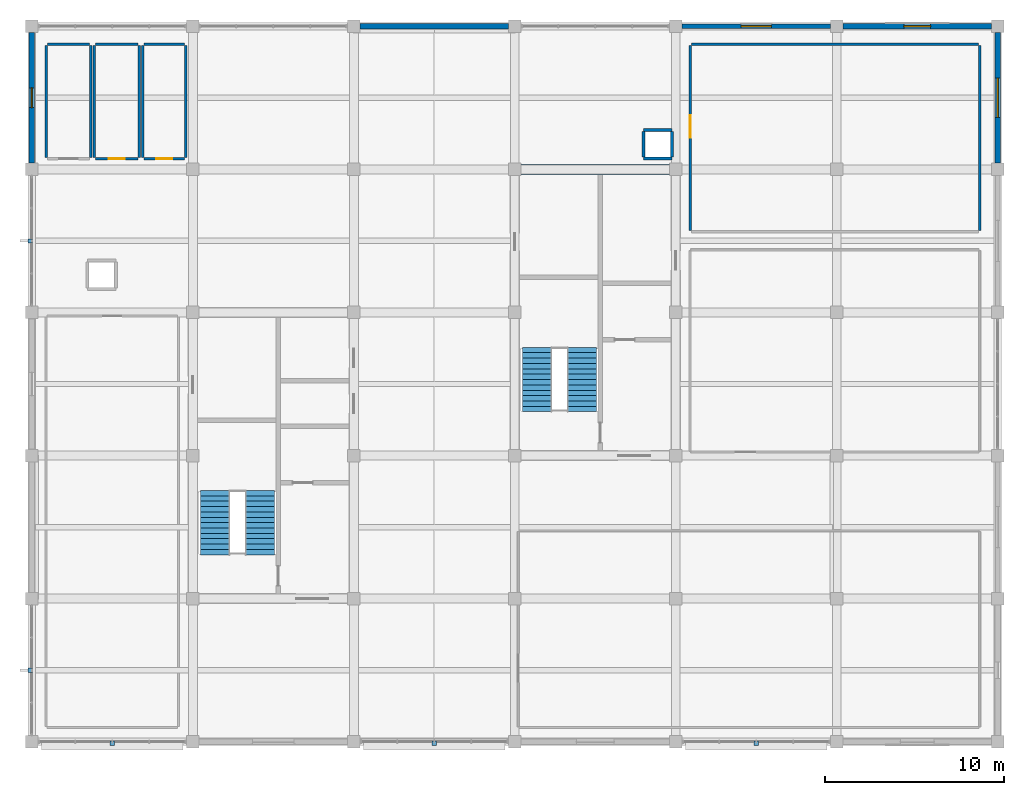
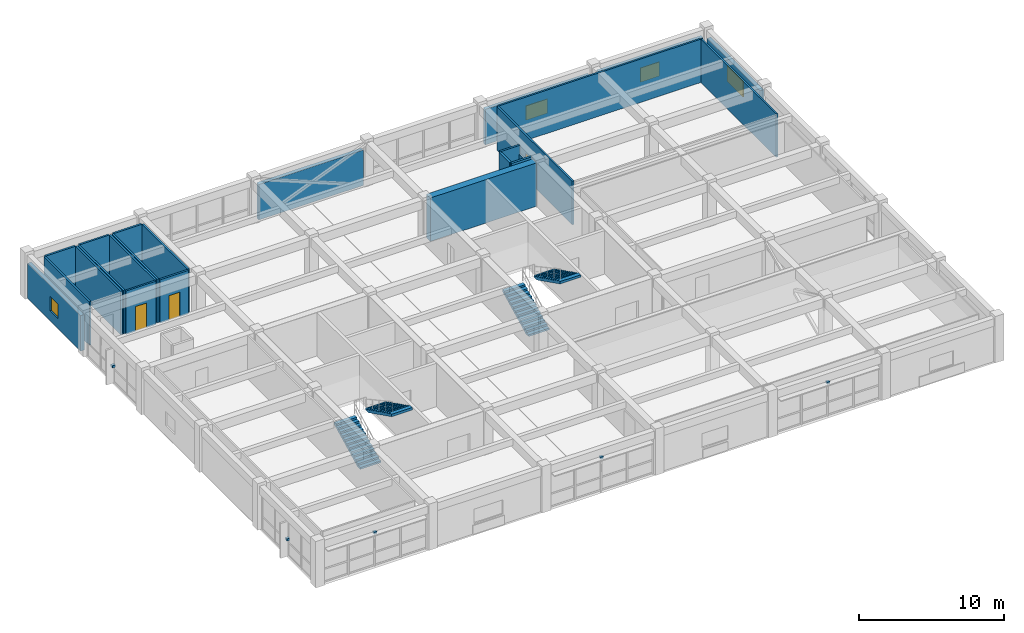
# One storey, part 12 of 13: 24 walls, 5 discrete accessories, 4 stair flights, 4 windows, 3 doors, 7 openings, 2 elements without a shape of their own.
"""IFC4 building model written with IfcOpenShell, lengths in metres."""

from ifc_helpers import new_model, si_unit, direction, frame, frame_2d, origin, origin_2d, place, context, subcontext, project, spatial, polyline, rectangle, outline, extrude, material, layer, layer_set, type_object, element, fill, aggregate, save


model = new_model("IFC4")

# Units and contexts
model_context = context("Model", 3, precision=1e-05, world=origin(), true_north=direction((0.0, 1.0)))
body_context = subcontext(model_context, "Body", "Model", "MODEL_VIEW")
ifc_project = project(units=[si_unit("LENGTHUNIT", "METRE"), si_unit("AREAUNIT", "SQUARE_METRE"), si_unit("VOLUMEUNIT", "CUBIC_METRE"), si_unit("PLANEANGLEUNIT", "RADIAN"), si_unit("MASSUNIT", "GRAM", prefix="KILO")], contexts=[model_context])

# Site, building, storey
site_placement = place(None, origin())
site = spatial("IfcSite", under=ifc_project, at=site_placement, CompositionType="ELEMENT")
building_placement = place(site_placement, origin())
building = spatial("IfcBuilding", under=site, at=building_placement, Name="Zaverband Oceanarium and Marine Research Institute", CompositionType="ELEMENT")
storey_placement = place(building_placement, frame((0.0, 0.0, 60.89990234375)))
storey = spatial("IfcBuildingStorey", under=building, at=storey_placement, Name="L15", CompositionType="ELEMENT", Elevation=60.89990234375)

# Wall
ifc_material_1 = material(Name="Concrete C50/60", Category="concrete")
ifc_layer_1 = layer(ifc_material_1, 0.550048828125, Name="Concrete C50/60")
ifc_layer_set_1 = layer_set([ifc_layer_1], Name="Concrete C50/60")
wall_type_1 = type_object("IfcWallType", Name="CW-01", PredefinedType="SHEAR", material=ifc_layer_set_1)
wall_1_placement = place(storey_placement, frame((36.27490234375, 104.0, 0.0), z_axis=(0.0, 0.0, 1.0), x_axis=(1.0, 0.0, 0.0)))
element("IfcWall", 1, at=wall_1_placement, inside=storey, type_object=wall_type_1, Name="Structural shear wall CW-01", PredefinedType="SHEAR", context=body_context, shape_type="SweptSolid", body=[
    extrude(rectangle(XDim=8.4501953125, YDim=0.550048828125, at=frame_2d((4.22509765625, 0.0))), origin(), (0.0, 0.0, 1.0), 3.650146484375),
])

# Wall, opening, window
ifc_material_2 = material(Name="Concrete C40/50 precast", Category="concrete")
ifc_layer_2 = layer(ifc_material_2, 0.264892578125, Name="Concrete C40/50 precast")
ifc_layer_set_2 = layer_set([ifc_layer_2], Name="Concrete C40/50 precast")
wall_type_2 = type_object("IfcWallType", Name="EW-265", PredefinedType="STANDARD", material=ifc_layer_set_2)
wall_2_placement = place(storey_placement, frame((45.35498046875, 112.0, 0.0), z_axis=(0.0, 0.0, 1.0), x_axis=(1.0, 0.0, 0.0)))
wall_2 = element("IfcWall", 2, at=wall_2_placement, inside=storey, type_object=wall_type_2, Name="Exterior infill wall EW-265", PredefinedType="STANDARD", context=body_context, shape_type="SweptSolid", body=[
    extrude(rectangle(XDim=8.2900390625, YDim=0.264892578125, at=frame_2d((4.14501953125, 0.0))), origin(), (0.0, 0.0, 1.0), 2.97998046875),
])
opening_1_placement = place(wall_2_placement, frame((3.294921875, 0.0, 0.85009765625)))
opening_1 = element("IfcOpeningElement", 3, at=opening_1_placement, cuts=wall_2, Name="Opening WN-1700x1200", PredefinedType="OPENING", context=body_context, shape_type="SweptSolid", body=[
    extrude(rectangle(XDim=1.699951171875, YDim=1.199951171875, at=frame_2d((0.85009765625, 0.60009765625))), frame((0.0, 0.14453125, 0.0), z_axis=(0.0, -1.0, 0.0), x_axis=(1.0, 0.0, 0.0)), (0.0, 0.0, 1.0), 0.288818359375),
])
ifc_material_3 = material(Name="Thermally broken anodized aluminium and solar-control glass", Category="aluminium")
window_type_1 = type_object("IfcWindowType", Name="WN-1700x1200", PartitioningType="SINGLE_PANEL", PredefinedType="WINDOW", material=ifc_material_3)
window_1_placement = place(opening_1_placement, origin())
window_1 = element("IfcWindow", 4, at=window_1_placement, inside=storey, type_object=window_type_1, Name="Fixed / casement exterior window WN-1700x1200", OverallHeight=1.199951171875, OverallWidth=1.699951171875, PartitioningType="SINGLE_PANEL", PredefinedType="WINDOW", context=body_context, shape_type="SweptSolid", body=[
    extrude(rectangle(XDim=1.699951171875, YDim=1.199951171875, at=frame_2d((0.85009765625, 0.60009765625))), frame((0.0, 0.030029296875, 0.0), z_axis=(0.0, -1.0, 0.0), x_axis=(1.0, 0.0, 0.0)), (0.0, 0.0, 1.0), 0.06005859375),
])
fill(opening_1, window_1)

# Wall
ifc_layer_3 = layer(ifc_material_2, 0.2900390625, Name="Concrete C40/50 precast")
ifc_layer_set_3 = layer_set([ifc_layer_3], Name="Concrete C40/50 precast")
wall_type_3 = type_object("IfcWallType", Name="EW-290", PredefinedType="STANDARD", material=ifc_layer_set_3)
wall_3_placement = place(storey_placement, frame((27.35498046875, 112.0, 0.0), z_axis=(0.0, 0.0, 1.0), x_axis=(1.0, 0.0, 0.0)))
element("IfcWall", 5, at=wall_3_placement, inside=storey, type_object=wall_type_3, Name="Exterior infill wall EW-290", PredefinedType="STANDARD", context=body_context, shape_type="SweptSolid", body=[
    extrude(rectangle(XDim=8.2900390625, YDim=0.2900390625, at=frame_2d((4.14501953125, 0.0))), origin(), (0.0, 0.0, 1.0), 2.97998046875),
])

# Wall, opening, window
wall_4_placement = place(storey_placement, frame((54.35498046875, 112.0, 0.0), z_axis=(0.0, 0.0, 1.0), x_axis=(1.0, 0.0, 0.0)))
wall_4 = element("IfcWall", 6, at=wall_4_placement, inside=storey, type_object=wall_type_3, Name="Exterior infill wall EW-290", PredefinedType="STANDARD", context=body_context, shape_type="SweptSolid", body=[
    extrude(rectangle(XDim=8.2900390625, YDim=0.2900390625, at=frame_2d((4.14501953125, 0.0))), origin(), (0.0, 0.0, 1.0), 2.97998046875),
])
opening_2_placement = place(wall_4_placement, frame((3.39501953125, 0.0, 0.85009765625)))
opening_2 = element("IfcOpeningElement", 7, at=opening_2_placement, cuts=wall_4, Name="Opening WN-1500x1200", PredefinedType="OPENING", context=body_context, shape_type="SweptSolid", body=[
    extrude(rectangle(XDim=1.5, YDim=1.199951171875, at=frame_2d((0.75, 0.60009765625))), frame((0.0, 0.156982421875, 0.0), z_axis=(0.0, -1.0, 0.0), x_axis=(1.0, 0.0, 0.0)), (0.0, 0.0, 1.0), 0.31396484375),
])
window_type_2 = type_object("IfcWindowType", Name="WN-1500x1200", PartitioningType="SINGLE_PANEL", PredefinedType="WINDOW", material=ifc_material_3)
window_2_placement = place(opening_2_placement, origin())
window_2 = element("IfcWindow", 8, at=window_2_placement, inside=storey, type_object=window_type_2, Name="Fixed / casement exterior window WN-1500x1200", OverallHeight=1.199951171875, OverallWidth=1.5, PartitioningType="SINGLE_PANEL", PredefinedType="WINDOW", context=body_context, shape_type="SweptSolid", body=[
    extrude(rectangle(XDim=1.5, YDim=1.199951171875, at=frame_2d((0.75, 0.60009765625))), frame((0.0, 0.030029296875, 0.0), z_axis=(0.0, -1.0, 0.0), x_axis=(1.0, 0.0, 0.0)), (0.0, 0.0, 1.0), 0.06005859375),
])
fill(opening_2, window_2)

wall_5_placement = place(storey_placement, frame((9.0, 104.35498046875, 0.0), z_axis=(0.0, 0.0, 1.0), x_axis=(0.0, 1.0, 0.0)))
wall_5 = element("IfcWall", 9, at=wall_5_placement, inside=storey, type_object=wall_type_3, Name="Exterior infill wall EW-290", PredefinedType="STANDARD", context=body_context, shape_type="SweptSolid", body=[
    extrude(rectangle(XDim=7.2900390625, YDim=0.2900390625, at=frame_2d((3.64501953125, 0.0))), origin(), (0.0, 0.0, 1.0), 2.97998046875),
])
opening_3_placement = place(wall_5_placement, frame((3.094970703125, 0.0, 0.85009765625)))
opening_3 = element("IfcOpeningElement", 10, at=opening_3_placement, cuts=wall_5, Name="Opening WN-1100x1200", PredefinedType="OPENING", context=body_context, shape_type="SweptSolid", body=[
    extrude(rectangle(XDim=1.10009765625, YDim=1.199951171875, at=frame_2d((0.550048828125, 0.60009765625))), frame((0.0, 0.156982421875, 0.0), z_axis=(0.0, -1.0, 0.0), x_axis=(1.0, 0.0, 0.0)), (0.0, 0.0, 1.0), 0.31396484375),
])
window_type_3 = type_object("IfcWindowType", Name="WN-1100x1200", PartitioningType="SINGLE_PANEL", PredefinedType="WINDOW", material=ifc_material_3)
window_3_placement = place(opening_3_placement, origin())
window_3 = element("IfcWindow", 11, at=window_3_placement, inside=storey, type_object=window_type_3, Name="Fixed / casement exterior window WN-1100x1200", OverallHeight=1.199951171875, OverallWidth=1.10009765625, PartitioningType="SINGLE_PANEL", PredefinedType="WINDOW", context=body_context, shape_type="SweptSolid", body=[
    extrude(rectangle(XDim=1.10009765625, YDim=1.199951171875, at=frame_2d((0.550048828125, 0.60009765625))), frame((0.0, 0.030029296875, 0.0), z_axis=(0.0, -1.0, 0.0), x_axis=(1.0, 0.0, 0.0)), (0.0, 0.0, 1.0), 0.06005859375),
])
fill(opening_3, window_3)

wall_6_placement = place(storey_placement, frame((63.0, 104.35498046875, 0.0), z_axis=(0.0, 0.0, 1.0), x_axis=(0.0, 1.0, 0.0)))
wall_6 = element("IfcWall", 12, at=wall_6_placement, inside=storey, type_object=wall_type_3, Name="Exterior infill wall EW-290", PredefinedType="STANDARD", context=body_context, shape_type="SweptSolid", body=[
    extrude(rectangle(XDim=7.2900390625, YDim=0.2900390625, at=frame_2d((3.64501953125, 0.0))), origin(), (0.0, 0.0, 1.0), 2.97998046875),
])
opening_4_placement = place(wall_6_placement, frame((2.544921875, 0.0, 0.85009765625)))
opening_4 = element("IfcOpeningElement", 13, at=opening_4_placement, cuts=wall_6, Name="Opening WN-2200x1350", PredefinedType="OPENING", context=body_context, shape_type="SweptSolid", body=[
    extrude(rectangle(XDim=2.199951171875, YDim=1.35009765625, at=frame_2d((1.10009765625, 0.675048828125))), frame((0.0, 0.156982421875, 0.0), z_axis=(0.0, -1.0, 0.0), x_axis=(1.0, 0.0, 0.0)), (0.0, 0.0, 1.0), 0.31396484375),
])
window_type_4 = type_object("IfcWindowType", Name="WN-2200x1350", PartitioningType="SINGLE_PANEL", PredefinedType="WINDOW", material=ifc_material_3)
window_4_placement = place(opening_4_placement, origin())
window_4 = element("IfcWindow", 14, at=window_4_placement, inside=storey, type_object=window_type_4, Name="Fixed / casement exterior window WN-2200x1350", OverallHeight=1.35009765625, OverallWidth=2.199951171875, PartitioningType="SINGLE_PANEL", PredefinedType="WINDOW", context=body_context, shape_type="SweptSolid", body=[
    extrude(rectangle(XDim=2.199951171875, YDim=1.35009765625, at=frame_2d((1.10009765625, 0.675048828125))), frame((0.0, 0.030029296875, 0.0), z_axis=(0.0, -1.0, 0.0), x_axis=(1.0, 0.0, 0.0)), (0.0, 0.0, 1.0), 0.06005859375),
])
fill(opening_4, window_4)

# Wall
ifc_material_4 = material(Name="Acoustic classroom partition")
ifc_layer_4 = layer(ifc_material_4, 0.139892578125, Name="Acoustic classroom partition")
ifc_layer_set_4 = layer_set([ifc_layer_4], Name="Acoustic classroom partition")
wall_type_4 = type_object("IfcWallType", Name="PT-140-CL", PredefinedType="PARTITIONING", material=ifc_layer_set_4)
wall_7_placement = place(storey_placement, frame((45.8701171875, 111.0, 0.0), z_axis=(0.0, 0.0, 1.0), x_axis=(1.0, 0.0, 0.0)))
element("IfcWall", 15, at=wall_7_placement, inside=storey, type_object=wall_type_4, Name="Acoustic partition PT-140-CL", PredefinedType="PARTITIONING", context=body_context, shape_type="SweptSolid", body=[
    extrude(rectangle(XDim=16.059814453125, YDim=0.139892578125, at=frame_2d((8.02978515625, 0.0))), origin(), (0.0, 0.0, 1.0), 3.650146484375),
])

# Wall, opening, door
wall_8_placement = place(storey_placement, frame((45.800048828125, 100.570068359375, 0.0), z_axis=(0.0, 0.0, 1.0), x_axis=(0.0, 1.0, 0.0)))
wall_8 = element("IfcWall", 16, at=wall_8_placement, inside=storey, type_object=wall_type_4, Name="Acoustic partition PT-140-CL", PredefinedType="PARTITIONING", context=body_context, shape_type="SweptSolid", body=[
    extrude(rectangle(XDim=10.35986328125, YDim=0.139892578125, at=frame_2d((5.179931640625, 0.0))), origin(), (0.0, 0.0, 1.0), 3.650146484375),
])
opening_5_placement = place(wall_8_placement, frame((5.199951171875, 0.0, 0.0)))
opening_5 = element("IfcOpeningElement", 17, at=opening_5_placement, cuts=wall_8, Name="Opening ID-1250x2120", PredefinedType="OPENING", context=body_context, shape_type="SweptSolid", body=[
    extrude(rectangle(XDim=1.25, YDim=2.1201171875, at=frame_2d((0.625, 1.06005859375))), frame((0.0, 0.08203125, 0.0), z_axis=(0.0, -1.0, 0.0), x_axis=(1.0, 0.0, 0.0)), (0.0, 0.0, 1.0), 0.163818359375),
])
ifc_material_5 = material(Name="Hardwood-veneered acoustic timber", Category="wood")
door_type_1 = type_object("IfcDoorType", Name="ID-1250x2120", OperationType="NOTDEFINED", PredefinedType="DOOR", material=ifc_material_5)
door_1_placement = place(opening_5_placement, origin())
door_1 = element("IfcDoor", 18, at=door_1_placement, inside=storey, type_object=door_type_1, Name="Classroom entrance door ID-1250x2120", OperationType="SINGLE_SWING_LEFT", OverallHeight=2.1201171875, OverallWidth=1.25, PredefinedType="DOOR", context=body_context, shape_type="SweptSolid", body=[
    extrude(rectangle(XDim=1.25, YDim=2.1201171875, at=frame_2d((0.625, 1.06005859375))), frame((0.0, 0.02490234375, 0.0), z_axis=(0.0, -1.0, 0.0), x_axis=(1.0, 0.0, 0.0)), (0.0, 0.0, 1.0), 0.050048828125),
])
fill(opening_5, door_1)

# Walls
wall_9_placement = place(storey_placement, frame((62.0, 100.570068359375, 0.0), z_axis=(0.0, 0.0, 1.0), x_axis=(0.0, 1.0, 0.0)))
element("IfcWall", 19, at=wall_9_placement, inside=storey, type_object=wall_type_4, Name="Acoustic partition PT-140-CL", PredefinedType="PARTITIONING", context=body_context, shape_type="SweptSolid", body=[
    extrude(rectangle(XDim=10.35986328125, YDim=0.139892578125, at=frame_2d((5.179931640625, 0.0))), origin(), (0.0, 0.0, 1.0), 3.650146484375),
])
ifc_material_6 = material(Name="Ceramic-tiled wet-room blockwork", Category="masonry")
ifc_layer_5 = layer(ifc_material_6, 0.14990234375, Name="Ceramic-tiled wet-room blockwork")
ifc_layer_set_5 = layer_set([ifc_layer_5], Name="Ceramic-tiled wet-room blockwork")
wall_type_5 = type_object("IfcWallType", Name="PT-150-WC", PredefinedType="PARTITIONING", material=ifc_layer_set_5)
wall_10_placement = place(storey_placement, frame((9.875, 111.0, 0.0), z_axis=(0.0, 0.0, 1.0), x_axis=(1.0, 0.0, 0.0)))
element("IfcWall", 20, at=wall_10_placement, inside=storey, type_object=wall_type_5, Name="Internal partition PT-150-WC", PredefinedType="PARTITIONING", context=body_context, shape_type="SweptSolid", body=[
    extrude(rectangle(XDim=2.35009765625, YDim=0.14990234375, at=frame_2d((1.175048828125, 0.0))), origin(), (0.0, 0.0, 1.0), 3.650146484375),
])
for number, where, z_axis, x_axis, name in (
    (21, (9.800048828125, 104.675048828125, 0.0), (0.0, 0.0, 1.0), (0.0, 1.0, 0.0), "Internal partition PT-150-WC"),
    (22, (12.300048828125, 104.675048828125, 0.0), (0.0, 0.0, 1.0), (0.0, 1.0, 0.0), "Internal partition PT-150-WC"),
):
    element("IfcWall", number, at=place(storey_placement, frame(where, z_axis=z_axis, x_axis=x_axis)), inside=storey, type_object=wall_type_5, Name=name, PredefinedType="PARTITIONING", context=body_context, shape_type="SweptSolid", body=[
        extrude(rectangle(XDim=6.25, YDim=0.14990234375, at=frame_2d((3.125, 0.0))), origin(), (0.0, 0.0, 1.0), 3.650146484375),
    ])

# Wall, opening, door
wall_11_placement = place(storey_placement, frame((12.574951171875, 104.60009765625, 0.0), z_axis=(0.0, 0.0, 1.0), x_axis=(1.0, 0.0, 0.0)))
wall_11 = element("IfcWall", 23, at=wall_11_placement, inside=storey, type_object=wall_type_5, Name="Internal partition PT-150-WC", PredefinedType="PARTITIONING", context=body_context, shape_type="SweptSolid", body=[
    extrude(rectangle(XDim=2.35009765625, YDim=0.14990234375, at=frame_2d((1.175048828125, 0.0))), origin(), (0.0, 0.0, 1.0), 3.650146484375),
])
opening_6_placement = place(wall_11_placement, frame((0.719970703125, 0.0, 0.0)))
opening_6 = element("IfcOpeningElement", 24, at=opening_6_placement, cuts=wall_11, Name="Opening ID-910x2080", PredefinedType="OPENING", context=body_context, shape_type="SweptSolid", body=[
    extrude(rectangle(XDim=0.909912109375, YDim=2.080078125, at=frame_2d((0.455078125, 1.0400390625))), frame((0.0, 0.0869140625, 0.0), z_axis=(0.0, -1.0, 0.0), x_axis=(1.0, 0.0, 0.0)), (0.0, 0.0, 1.0), 0.173828125),
])
door_type_2 = type_object("IfcDoorType", Name="ID-910x2080", OperationType="NOTDEFINED", PredefinedType="DOOR", material=ifc_material_5)
door_2_placement = place(opening_6_placement, origin())
door_2 = element("IfcDoor", 25, at=door_2_placement, inside=storey, type_object=door_type_2, Name="Sanitary washroom entrance door ID-910x2080", OperationType="SINGLE_SWING_RIGHT", OverallHeight=2.080078125, OverallWidth=0.909912109375, PredefinedType="DOOR", context=body_context, shape_type="SweptSolid", body=[
    extrude(rectangle(XDim=0.909912109375, YDim=2.080078125, at=frame_2d((0.455078125, 1.0400390625))), frame((0.0, 0.02490234375, 0.0), z_axis=(0.0, -1.0, 0.0), x_axis=(1.0, 0.0, 0.0)), (0.0, 0.0, 1.0), 0.050048828125),
])
fill(opening_6, door_2)

# Walls
wall_12_placement = place(storey_placement, frame((12.574951171875, 111.0, 0.0), z_axis=(0.0, 0.0, 1.0), x_axis=(1.0, 0.0, 0.0)))
element("IfcWall", 26, at=wall_12_placement, inside=storey, type_object=wall_type_5, Name="Internal partition PT-150-WC", PredefinedType="PARTITIONING", context=body_context, shape_type="SweptSolid", body=[
    extrude(rectangle(XDim=2.35009765625, YDim=0.14990234375, at=frame_2d((1.175048828125, 0.0))), origin(), (0.0, 0.0, 1.0), 3.650146484375),
])
for number, where, z_axis, x_axis, name in (
    (27, (12.5, 104.675048828125, 0.0), (0.0, 0.0, 1.0), (0.0, 1.0, 0.0), "Internal partition PT-150-WC"),
    (28, (15.0, 104.675048828125, 0.0), (0.0, 0.0, 1.0), (0.0, 1.0, 0.0), "Internal partition PT-150-WC"),
):
    element("IfcWall", number, at=place(storey_placement, frame(where, z_axis=z_axis, x_axis=x_axis)), inside=storey, type_object=wall_type_5, Name=name, PredefinedType="PARTITIONING", context=body_context, shape_type="SweptSolid", body=[
        extrude(rectangle(XDim=6.25, YDim=0.14990234375, at=frame_2d((3.125, 0.0))), origin(), (0.0, 0.0, 1.0), 3.650146484375),
    ])

# Wall, opening, door
wall_13_placement = place(storey_placement, frame((15.27490234375, 104.60009765625, 0.0), z_axis=(0.0, 0.0, 1.0), x_axis=(1.0, 0.0, 0.0)))
wall_13 = element("IfcWall", 29, at=wall_13_placement, inside=storey, type_object=wall_type_5, Name="Internal partition PT-150-WC", PredefinedType="PARTITIONING", context=body_context, shape_type="SweptSolid", body=[
    extrude(rectangle(XDim=2.25, YDim=0.14990234375, at=frame_2d((1.125, 0.0))), origin(), (0.0, 0.0, 1.0), 3.650146484375),
])
opening_7_placement = place(wall_13_placement, frame((0.679931640625, 0.0, 0.0)))
opening_7 = element("IfcOpeningElement", 30, at=opening_7_placement, cuts=wall_13, Name="Opening ID-890x2060", PredefinedType="OPENING", context=body_context, shape_type="SweptSolid", body=[
    extrude(rectangle(XDim=0.889892578125, YDim=2.06005859375, at=frame_2d((0.44482421875, 1.030029296875))), frame((0.0, 0.0869140625, 0.0), z_axis=(0.0, -1.0, 0.0), x_axis=(1.0, 0.0, 0.0)), (0.0, 0.0, 1.0), 0.173828125),
])
door_type_3 = type_object("IfcDoorType", Name="ID-890x2060", OperationType="NOTDEFINED", PredefinedType="DOOR", material=ifc_material_5)
door_3_placement = place(opening_7_placement, origin())
door_3 = element("IfcDoor", 31, at=door_3_placement, inside=storey, type_object=door_type_3, Name="Staff WC door ID-890x2060", OperationType="SINGLE_SWING_LEFT", OverallHeight=2.06005859375, OverallWidth=0.889892578125, PredefinedType="DOOR", context=body_context, shape_type="SweptSolid", body=[
    extrude(rectangle(XDim=0.889892578125, YDim=2.06005859375, at=frame_2d((0.44482421875, 1.030029296875))), frame((0.0, 0.02490234375, 0.0), z_axis=(0.0, -1.0, 0.0), x_axis=(1.0, 0.0, 0.0)), (0.0, 0.0, 1.0), 0.050048828125),
])
fill(opening_7, door_3)

# Walls
wall_14_placement = place(storey_placement, frame((15.27490234375, 111.0, 0.0), z_axis=(0.0, 0.0, 1.0), x_axis=(1.0, 0.0, 0.0)))
element("IfcWall", 32, at=wall_14_placement, inside=storey, type_object=wall_type_5, Name="Internal partition PT-150-WC", PredefinedType="PARTITIONING", context=body_context, shape_type="SweptSolid", body=[
    extrude(rectangle(XDim=2.25, YDim=0.14990234375, at=frame_2d((1.125, 0.0))), origin(), (0.0, 0.0, 1.0), 3.650146484375),
])
for number, where, z_axis, x_axis, name in (
    (33, (15.199951171875, 104.675048828125, 0.0), (0.0, 0.0, 1.0), (0.0, 1.0, 0.0), "Internal partition PT-150-WC"),
    (34, (17.60009765625, 104.675048828125, 0.0), (0.0, 0.0, 1.0), (0.0, 1.0, 0.0), "Internal partition PT-150-WC"),
):
    element("IfcWall", number, at=place(storey_placement, frame(where, z_axis=z_axis, x_axis=x_axis)), inside=storey, type_object=wall_type_5, Name=name, PredefinedType="PARTITIONING", context=body_context, shape_type="SweptSolid", body=[
        extrude(rectangle(XDim=6.25, YDim=0.14990234375, at=frame_2d((3.125, 0.0))), origin(), (0.0, 0.0, 1.0), 3.650146484375),
    ])
ifc_material_7 = material(Name="Corridor rated drywall partition")
ifc_layer_6 = layer(ifc_material_7, 0.1650390625, Name="Corridor rated drywall partition")
ifc_layer_set_6 = layer_set([ifc_layer_6], Name="Corridor rated drywall partition")
wall_type_6 = type_object("IfcWallType", Name="PT-165-CR", PredefinedType="PARTITIONING", material=ifc_layer_set_6)
for number, where, z_axis, x_axis, name in (
    (35, (43.199951171875, 104.60009765625, 0.0), (0.0, 0.0, 1.0), (1.0, 0.0, 0.0), "Internal partition PT-165-CR"),
    (36, (43.199951171875, 106.199951171875, 0.0), (0.0, 0.0, 1.0), (1.0, 0.0, 0.0), "Internal partition PT-165-CR"),
):
    element("IfcWall", number, at=place(storey_placement, frame(where, z_axis=z_axis, x_axis=x_axis)), inside=storey, type_object=wall_type_6, Name=name, PredefinedType="PARTITIONING", context=body_context, shape_type="SweptSolid", body=[
        extrude(rectangle(XDim=1.60009765625, YDim=0.1650390625, at=frame_2d((0.800048828125, 0.0))), origin(), (0.0, 0.0, 1.0), 3.650146484375),
    ])
wall_15_placement = place(storey_placement, frame((43.199951171875, 104.679931640625, 0.0), z_axis=(0.0, 0.0, 1.0), x_axis=(0.0, 1.0, 0.0)))
element("IfcWall", 37, at=wall_15_placement, inside=storey, type_object=wall_type_6, Name="Internal partition PT-165-CR", PredefinedType="PARTITIONING", context=body_context, shape_type="SweptSolid", body=[
    extrude(rectangle(XDim=1.440185546875, YDim=0.1650390625, at=frame_2d((0.72021484375, 0.0))), origin(), (0.0, 0.0, 1.0), 3.650146484375),
])
wall_16_placement = place(storey_placement, frame((44.800048828125, 104.679931640625, 0.0), z_axis=(0.0, 0.0, 1.0), x_axis=(0.0, 1.0, 0.0)))
element("IfcWall", 38, at=wall_16_placement, inside=storey, type_object=wall_type_6, Name="Internal partition PT-165-CR", PredefinedType="PARTITIONING", context=body_context, shape_type="SweptSolid", body=[
    extrude(rectangle(XDim=1.440185546875, YDim=0.1650390625, at=frame_2d((0.72021484375, 0.0))), origin(), (0.0, 0.0, 1.0), 2.900146484375),
])

# Stair, stair flights
ifc_material_8 = material(Name="Concrete C40/50", Category="concrete")
stair_type = type_object("IfcStairType", Name="STR-TWR-1650-3900", PredefinedType="HALF_TURN_STAIR", material=ifc_material_8)
stair_1_placement = place(storey_placement, origin())
stair_1 = element("IfcStair", 39, at=stair_1_placement, inside=storey, type_object=stair_type, Name="Exit Stair ST-01 (L15)", PredefinedType="HALF_TURN_STAIR")
stair_flight_type = type_object("IfcStairFlightType", Name="STR-TWR-1650-3900-FL", PredefinedType="STRAIGHT", material=ifc_material_8)
stair_flight_1_placement = place(storey_placement, frame((19.2548828125, 82.449951171875, 0.0), z_axis=(0.0, 0.0, 1.0), x_axis=(0.0, 1.0, 0.0)))
stair_flight_1 = element("IfcStairFlight", 40, at=stair_flight_1_placement, type_object=stair_flight_type, Name="Reinforced concrete stair flight ST-01-F1", NumberOfRisers=13, NumberOfTreads=12, PredefinedType="STRAIGHT", RiserHeight=0.15, TreadLength=0.3, context=body_context, shape_type="SweptSolid", body=[
    extrude(outline(polyline([(0.0, 0.0), (0.0, 0.14990234375), (0.300048828125, 0.14990234375), (0.300048828125, 0.300048828125), (0.60009765625, 0.300048828125), (0.60009765625, 0.449951171875), (0.89990234375, 0.449951171875), (0.89990234375, 0.60009765625), (1.199951171875, 0.60009765625), (1.199951171875, 0.75), (1.5, 0.75), (1.5, 0.89990234375), (1.800048828125, 0.89990234375), (1.800048828125, 1.050048828125), (2.10009765625, 1.050048828125), (2.10009765625, 1.199951171875), (2.39990234375, 1.199951171875), (2.39990234375, 1.35009765625), (2.699951171875, 1.35009765625), (2.699951171875, 1.5), (3.0, 1.5), (3.0, 1.64990234375), (3.300048828125, 1.64990234375), (3.300048828125, 1.800048828125), (3.60009765625, 1.800048828125), (3.60009765625, 1.949951171875), (3.60009765625, 1.598876953125), (0.40234375, 0.0), (0.0, 0.0)])), frame((0.0, 0.824951171875, 0.0), z_axis=(0.0, -1.0, 0.0), x_axis=(1.0, 0.0, 0.0)), (0.0, 0.0, 1.0), 1.64990234375),
])
stair_flight_2_placement = place(storey_placement, frame((21.7451171875, 86.050048828125, 1.9501953125), z_axis=(0.0, 0.0, 1.0), x_axis=(0.0, -1.0, 0.0)))
stair_flight_2 = element("IfcStairFlight", 41, at=stair_flight_2_placement, type_object=stair_flight_type, Name="Reinforced concrete stair flight ST-01-F2", NumberOfRisers=13, NumberOfTreads=12, PredefinedType="STRAIGHT", RiserHeight=0.15, TreadLength=0.3, context=body_context, shape_type="SweptSolid", body=[
    extrude(outline(polyline([(0.0, 0.0), (0.0, 0.14990234375), (0.300048828125, 0.14990234375), (0.300048828125, 0.300048828125), (0.60009765625, 0.300048828125), (0.60009765625, 0.449951171875), (0.89990234375, 0.449951171875), (0.89990234375, 0.60009765625), (1.199951171875, 0.60009765625), (1.199951171875, 0.75), (1.5, 0.75), (1.5, 0.89990234375), (1.800048828125, 0.89990234375), (1.800048828125, 1.050048828125), (2.10009765625, 1.050048828125), (2.10009765625, 1.199951171875), (2.39990234375, 1.199951171875), (2.39990234375, 1.35009765625), (2.699951171875, 1.35009765625), (2.699951171875, 1.5), (3.0, 1.5), (3.0, 1.64990234375), (3.300048828125, 1.64990234375), (3.300048828125, 1.800048828125), (3.60009765625, 1.800048828125), (3.60009765625, 1.949951171875), (3.60009765625, 1.598876953125), (0.40234375, 0.0), (0.0, 0.0)])), frame((0.0, 0.824951171875, 0.0), z_axis=(0.0, -1.0, 0.0), x_axis=(1.0, 0.0, 0.0)), (0.0, 0.0, 1.0), 1.64990234375),
])
aggregate(stair_1, [stair_flight_1, stair_flight_2])

stair_2_placement = place(storey_placement, origin())
stair_2 = element("IfcStair", 42, at=stair_2_placement, inside=storey, type_object=stair_type, Name="Exit Stair ST-02 (L15)", PredefinedType="HALF_TURN_STAIR")
stair_flight_3_placement = place(storey_placement, frame((37.2548828125, 90.449951171875, 0.0), z_axis=(0.0, 0.0, 1.0), x_axis=(0.0, 1.0, 0.0)))
stair_flight_3 = element("IfcStairFlight", 43, at=stair_flight_3_placement, type_object=stair_flight_type, Name="Reinforced concrete stair flight ST-02-F1", NumberOfRisers=13, NumberOfTreads=12, PredefinedType="STRAIGHT", RiserHeight=0.15, TreadLength=0.3, context=body_context, shape_type="SweptSolid", body=[
    extrude(outline(polyline([(0.0, 0.0), (0.0, 0.14990234375), (0.300048828125, 0.14990234375), (0.300048828125, 0.300048828125), (0.60009765625, 0.300048828125), (0.60009765625, 0.449951171875), (0.89990234375, 0.449951171875), (0.89990234375, 0.60009765625), (1.199951171875, 0.60009765625), (1.199951171875, 0.75), (1.5, 0.75), (1.5, 0.89990234375), (1.800048828125, 0.89990234375), (1.800048828125, 1.050048828125), (2.10009765625, 1.050048828125), (2.10009765625, 1.199951171875), (2.39990234375, 1.199951171875), (2.39990234375, 1.35009765625), (2.699951171875, 1.35009765625), (2.699951171875, 1.5), (3.0, 1.5), (3.0, 1.64990234375), (3.300048828125, 1.64990234375), (3.300048828125, 1.800048828125), (3.60009765625, 1.800048828125), (3.60009765625, 1.949951171875), (3.60009765625, 1.598876953125), (0.40234375, 0.0), (0.0, 0.0)])), frame((0.0, 0.824951171875, 0.0), z_axis=(0.0, -1.0, 0.0), x_axis=(1.0, 0.0, 0.0)), (0.0, 0.0, 1.0), 1.64990234375),
])
stair_flight_4_placement = place(storey_placement, frame((39.7451171875, 94.050048828125, 1.9501953125), z_axis=(0.0, 0.0, 1.0), x_axis=(0.0, -1.0, 0.0)))
stair_flight_4 = element("IfcStairFlight", 44, at=stair_flight_4_placement, type_object=stair_flight_type, Name="Reinforced concrete stair flight ST-02-F2", NumberOfRisers=13, NumberOfTreads=12, PredefinedType="STRAIGHT", RiserHeight=0.15, TreadLength=0.3, context=body_context, shape_type="SweptSolid", body=[
    extrude(outline(polyline([(0.0, 0.0), (0.0, 0.14990234375), (0.300048828125, 0.14990234375), (0.300048828125, 0.300048828125), (0.60009765625, 0.300048828125), (0.60009765625, 0.449951171875), (0.89990234375, 0.449951171875), (0.89990234375, 0.60009765625), (1.199951171875, 0.60009765625), (1.199951171875, 0.75), (1.5, 0.75), (1.5, 0.89990234375), (1.800048828125, 0.89990234375), (1.800048828125, 1.050048828125), (2.10009765625, 1.050048828125), (2.10009765625, 1.199951171875), (2.39990234375, 1.199951171875), (2.39990234375, 1.35009765625), (2.699951171875, 1.35009765625), (2.699951171875, 1.5), (3.0, 1.5), (3.0, 1.64990234375), (3.300048828125, 1.64990234375), (3.300048828125, 1.800048828125), (3.60009765625, 1.800048828125), (3.60009765625, 1.949951171875), (3.60009765625, 1.598876953125), (0.40234375, 0.0), (0.0, 0.0)])), frame((0.0, 0.824951171875, 0.0), z_axis=(0.0, -1.0, 0.0), x_axis=(1.0, 0.0, 0.0)), (0.0, 0.0, 1.0), 1.64990234375),
])
aggregate(stair_2, [stair_flight_3, stair_flight_4])

# Discrete accessories
ifc_material_9 = material(Name="Steel S355", Category="steel")
ifc_layer_7 = layer(ifc_material_9, 0.179931640625, Name="Steel S355")
ifc_layer_set_7 = layer_set([ifc_layer_7], Name="Steel S355")
discrete_accessory_type = type_object("IfcDiscreteAccessoryType", Name="BRK-STL-200", PredefinedType="BRACKET", material=ifc_layer_set_7)
for number, where, z_axis, x_axis, name in (
    (45, (13.5, 71.919921875, 2.75), (0.0, 0.0, 1.0), (1.0, 0.0, 0.0), "Galvanized steel facade fin structural bracket BRK-STL-200"),
    (46, (31.5, 71.919921875, 2.75), (0.0, 0.0, 1.0), (1.0, 0.0, 0.0), "Galvanized steel facade fin structural bracket BRK-STL-200"),
    (47, (49.5, 71.919921875, 2.75), (0.0, 0.0, 1.0), (1.0, 0.0, 0.0), "Galvanized steel facade fin structural bracket BRK-STL-200"),
    (48, (8.919921875, 76.0, 1.3203125), (0.0, 0.0, 1.0), (1.0, 0.0, 0.0), "Galvanized steel facade fin structural bracket BRK-STL-200"),
    (49, (8.919921875, 100.0, 1.3203125), (0.0, 0.0, 1.0), (1.0, 0.0, 0.0), "Galvanized steel facade fin structural bracket BRK-STL-200"),
):
    element("IfcDiscreteAccessory", number, at=place(storey_placement, frame(where, z_axis=z_axis, x_axis=x_axis)), inside=storey, type_object=discrete_accessory_type, Name=name, PredefinedType="BRACKET", context=body_context, shape_type="SweptSolid", body=[
        extrude(rectangle(XDim=0.239990234375, YDim=0.239990234375, at=origin_2d()), origin(), (0.0, 0.0, 1.0), 0.179931640625),
    ])

save(model, "model.ifc")
